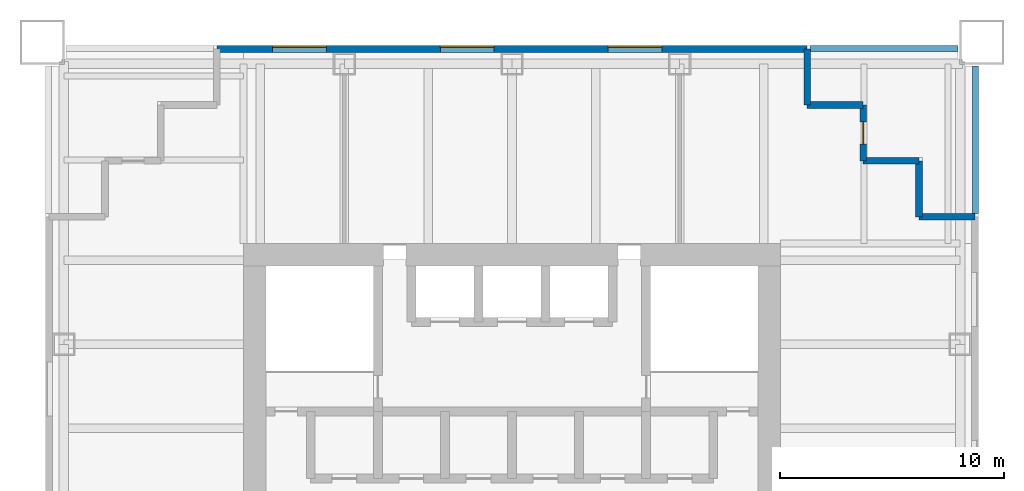
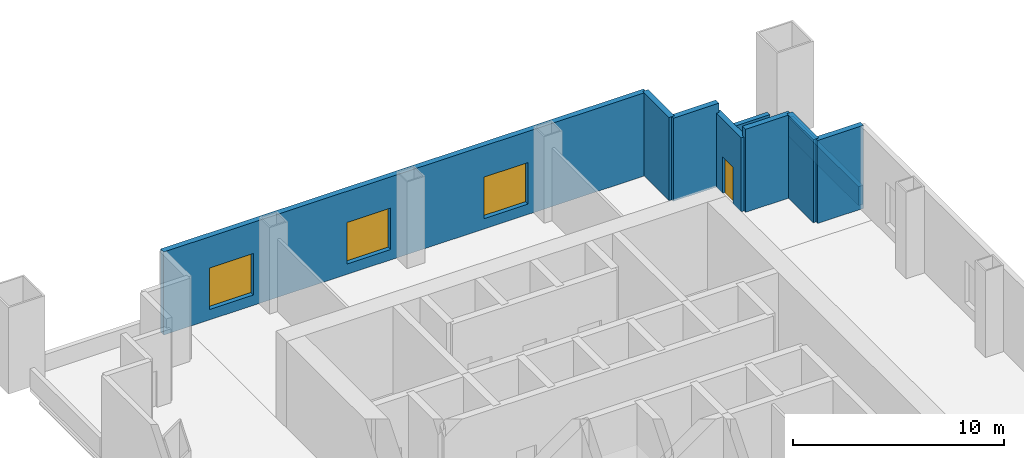
# One storey, part 4 of 5: 9 walls, 3 windows, 1 door, 4 openings.
"""IFC4 building model written with IfcOpenShell, lengths in metres."""

from ifc_helpers import new_model, si_unit, direction, frame, frame_2d, origin, place, context, subcontext, project, spatial, rectangle, extrude, material, layer, layer_set, type_object, element, fill, save


model = new_model("IFC4")

# Units and contexts
model_context = context("Model", 3, precision=1e-05, world=origin(), true_north=direction((0.0, 1.0)))
body_context = subcontext(model_context, "Body", "Model", "MODEL_VIEW")
ifc_project = project(units=[si_unit("LENGTHUNIT", "METRE"), si_unit("AREAUNIT", "SQUARE_METRE"), si_unit("VOLUMEUNIT", "CUBIC_METRE"), si_unit("PLANEANGLEUNIT", "RADIAN"), si_unit("MASSUNIT", "GRAM", prefix="KILO")], contexts=[model_context])

# Site, building, storey
site_placement = place(None, origin())
site = spatial("IfcSite", under=ifc_project, at=site_placement, CompositionType="ELEMENT")
building_placement = place(site_placement, origin())
building = spatial("IfcBuilding", under=site, at=building_placement, Name="Tarangal Relay Tower", CompositionType="ELEMENT")
storey_placement = place(building_placement, frame((0.0, 0.0, 341.89990234375)))
storey = spatial("IfcBuildingStorey", under=building, at=storey_placement, Name="L76", CompositionType="ELEMENT", Elevation=341.89990234375)

# Wall, openings, windows
ifc_material_1 = material(Name="Insulated precast concrete fc' 40 MPa", Category="concrete")
ifc_layer_1 = layer(ifc_material_1, 0.300048828125)
ifc_layer_set_1 = layer_set([ifc_layer_1], Name="Insulated precast concrete fc' 40 MPa")
wall_type_1 = type_object("IfcWallType", Name="Facade wall precast 300", PredefinedType="SOLIDWALL", material=ifc_layer_set_1)
wall_1_placement = place(storey_placement, frame((-13.199951171875, 20.699951171875, 0.0), z_axis=(0.0, 0.0, 1.0), x_axis=(1.0, 0.0, 0.0)))
wall_1 = element("IfcWall", 1, at=wall_1_placement, inside=storey, type_object=wall_type_1, Name="Facade wall N facade L76", PredefinedType="SOLIDWALL", context=body_context, shape_type="SweptSolid", body=[
    extrude(rectangle(XDim=26.39990234375, YDim=0.300048828125, at=frame_2d((13.199951171875, 0.0))), origin(), (0.0, 0.0, 1.0), 4.800048828125),
])
opening_1_placement = place(wall_1_placement, frame((2.5, 0.0, 0.60009765625)))
opening_1 = element("IfcOpeningElement", 2, at=opening_1_placement, cuts=wall_1, Name="Opening LV1", PredefinedType="OPENING", context=body_context, shape_type="SweptSolid", body=[
    extrude(rectangle(XDim=2.39990234375, YDim=2.39990234375, at=frame_2d((1.199951171875, 1.199951171875))), frame((0.0, 0.159912109375, 0.0), z_axis=(0.0, -1.0, 0.0), x_axis=(1.0, 0.0, 0.0)), (0.0, 0.0, 1.0), 0.320068359375),
])
opening_2_placement = place(wall_1_placement, frame((10.0, 0.0, 0.60009765625)))
opening_2 = element("IfcOpeningElement", 3, at=opening_2_placement, cuts=wall_1, Name="Opening LV1", PredefinedType="OPENING", context=body_context, shape_type="SweptSolid", body=[
    extrude(rectangle(XDim=2.39990234375, YDim=2.39990234375, at=frame_2d((1.199951171875, 1.199951171875))), frame((0.0, 0.159912109375, 0.0), z_axis=(0.0, -1.0, 0.0), x_axis=(1.0, 0.0, 0.0)), (0.0, 0.0, 1.0), 0.320068359375),
])
opening_3_placement = place(wall_1_placement, frame((17.5, 0.0, 0.60009765625)))
opening_3 = element("IfcOpeningElement", 4, at=opening_3_placement, cuts=wall_1, Name="Opening LV1", PredefinedType="OPENING", context=body_context, shape_type="SweptSolid", body=[
    extrude(rectangle(XDim=2.39990234375, YDim=2.39990234375, at=frame_2d((1.199951171875, 1.199951171875))), frame((0.0, 0.159912109375, 0.0), z_axis=(0.0, -1.0, 0.0), x_axis=(1.0, 0.0, 0.0)), (0.0, 0.0, 1.0), 0.320068359375),
])
ifc_material_2 = material(Name="Black aluminium weather louvre", Category="aluminium")
window_type = type_object("IfcWindowType", Name="Louvre 2400 x 2400", PartitioningType="SINGLE_PANEL", PredefinedType="WINDOW", material=ifc_material_2)
window_1_placement = place(opening_1_placement, origin())
window_1 = element("IfcWindow", 5, at=window_1_placement, inside=storey, type_object=window_type, Name="Louvre LV1 N facade L76", OverallHeight=2.39990234375, OverallWidth=2.39990234375, PartitioningType="SINGLE_PANEL", PredefinedType="WINDOW", context=body_context, shape_type="SweptSolid", body=[
    extrude(rectangle(XDim=2.39990234375, YDim=2.39990234375, at=frame_2d((1.199951171875, 1.199951171875))), frame((0.0, 0.150146484375, 0.0), z_axis=(0.0, -1.0, 0.0), x_axis=(1.0, 0.0, 0.0)), (0.0, 0.0, 1.0), 0.06005859375),
])
fill(opening_1, window_1)
window_2_placement = place(opening_2_placement, origin())
window_2 = element("IfcWindow", 6, at=window_2_placement, inside=storey, type_object=window_type, Name="Louvre LV1 N facade L76", OverallHeight=2.39990234375, OverallWidth=2.39990234375, PartitioningType="SINGLE_PANEL", PredefinedType="WINDOW", context=body_context, shape_type="SweptSolid", body=[
    extrude(rectangle(XDim=2.39990234375, YDim=2.39990234375, at=frame_2d((1.199951171875, 1.199951171875))), frame((0.0, 0.150146484375, 0.0), z_axis=(0.0, -1.0, 0.0), x_axis=(1.0, 0.0, 0.0)), (0.0, 0.0, 1.0), 0.06005859375),
])
fill(opening_2, window_2)
window_3_placement = place(opening_3_placement, origin())
window_3 = element("IfcWindow", 7, at=window_3_placement, inside=storey, type_object=window_type, Name="Louvre LV1 N facade L76", OverallHeight=2.39990234375, OverallWidth=2.39990234375, PartitioningType="SINGLE_PANEL", PredefinedType="WINDOW", context=body_context, shape_type="SweptSolid", body=[
    extrude(rectangle(XDim=2.39990234375, YDim=2.39990234375, at=frame_2d((1.199951171875, 1.199951171875))), frame((0.0, 0.150146484375, 0.0), z_axis=(0.0, -1.0, 0.0), x_axis=(1.0, 0.0, 0.0)), (0.0, 0.0, 1.0), 0.06005859375),
])
fill(opening_3, window_3)

# Walls
for number, where, z_axis, x_axis, name in (
    (8, (13.199951171875, 20.699951171875, 0.0), (0.0, 0.0, 1.0), (0.0, -1.0, 0.0), "Facade wall N facade L76"),
    (9, (13.199951171875, 18.199951171875, 0.0), (0.0, 0.0, 1.0), (1.0, 0.0, 0.0), "Facade wall N facade L76"),
):
    element("IfcWall", number, at=place(storey_placement, frame(where, z_axis=z_axis, x_axis=x_axis)), inside=storey, type_object=wall_type_1, Name=name, PredefinedType="SOLIDWALL", context=body_context, shape_type="SweptSolid", body=[
        extrude(rectangle(XDim=2.5, YDim=0.300048828125, at=frame_2d((1.25, 0.0))), origin(), (0.0, 0.0, 1.0), 4.800048828125),
    ])

# Wall, opening, door
wall_2_placement = place(storey_placement, frame((15.699951171875, 18.199951171875, 0.0), z_axis=(0.0, 0.0, 1.0), x_axis=(0.0, -1.0, 0.0)))
wall_2 = element("IfcWall", 10, at=wall_2_placement, inside=storey, type_object=wall_type_1, Name="Facade wall N facade L76", PredefinedType="SOLIDWALL", context=body_context, shape_type="SweptSolid", body=[
    extrude(rectangle(XDim=2.5, YDim=0.300048828125, at=frame_2d((1.25, 0.0))), origin(), (0.0, 0.0, 1.0), 4.2666015625),
])
opening_4_placement = place(wall_2_placement, frame((0.75, 0.0, 0.0)))
opening_4 = element("IfcOpeningElement", 11, at=opening_4_placement, cuts=wall_2, Name="Opening MD1", PredefinedType="OPENING", context=body_context, shape_type="SweptSolid", body=[
    extrude(rectangle(XDim=1.0, YDim=2.10009765625, at=frame_2d((0.5, 1.050048828125))), frame((0.0, 0.159912109375, 0.0), z_axis=(0.0, -1.0, 0.0), x_axis=(1.0, 0.0, 0.0)), (0.0, 0.0, 1.0), 0.320068359375),
])
ifc_material_3 = material(Name="Steel door with hardwood frame", Category="steel")
door_type = type_object("IfcDoorType", Name="Maintenance access door 1000 x 2100", OperationType="SINGLE_SWING_RIGHT", PredefinedType="DOOR", material=ifc_material_3)
door_placement = place(opening_4_placement, origin())
door = element("IfcDoor", 12, at=door_placement, inside=storey, type_object=door_type, Name="Maintenance access door MD1 NE L76", OperationType="SINGLE_SWING_RIGHT", OverallHeight=2.10009765625, OverallWidth=1.0, PredefinedType="DOOR", context=body_context, shape_type="SweptSolid", body=[
    extrude(rectangle(XDim=1.0, YDim=2.10009765625, at=frame_2d((0.5, 1.050048828125))), frame((0.0, 0.02490234375, 0.0), z_axis=(0.0, -1.0, 0.0), x_axis=(1.0, 0.0, 0.0)), (0.0, 0.0, 1.0), 0.050048828125),
])
fill(opening_4, door)

# Walls
for number, where, z_axis, x_axis, name in (
    (13, (15.699951171875, 15.699951171875, 0.0), (0.0, 0.0, 1.0), (1.0, 0.0, 0.0), "Facade wall N facade L76"),
    (14, (18.199951171875, 15.699951171875, 0.0), (0.0, 0.0, 1.0), (0.0, -1.0, 0.0), "Facade wall N facade L76"),
    (15, (18.199951171875, 13.199951171875, 0.0), (0.0, 0.0, 1.0), (1.0, 0.0, 0.0), "Facade wall N facade L76"),
):
    element("IfcWall", number, at=place(storey_placement, frame(where, z_axis=z_axis, x_axis=x_axis)), inside=storey, type_object=wall_type_1, Name=name, PredefinedType="SOLIDWALL", context=body_context, shape_type="SweptSolid", body=[
        extrude(rectangle(XDim=2.5, YDim=0.300048828125, at=frame_2d((1.25, 0.0))), origin(), (0.0, 0.0, 1.0), 4.800048828125),
    ])
ifc_material_4 = material(Name="Concrete parapet with metal coping", Category="concrete")
ifc_layer_2 = layer(ifc_material_4, 0.25)
ifc_layer_set_2 = layer_set([ifc_layer_2], Name="Parapet 250")
wall_type_2 = type_object("IfcWallType", Name="Parapet 250", PredefinedType="PARAPET", material=ifc_layer_set_2)
for number, where, z_axis, x_axis, name in (
    (16, (13.35009765625, 20.72509765625, 0.0), (0.0, 0.0, 1.0), (1.0, 0.0, 0.0), "Ledge parapet PP1 NE L76"),
    (17, (20.72509765625, 19.949951171875, 0.0), (0.0, 0.0, 1.0), (0.0, -1.0, 0.0), "Ledge parapet PP1 NE L76"),
):
    element("IfcWall", number, at=place(storey_placement, frame(where, z_axis=z_axis, x_axis=x_axis)), inside=storey, type_object=wall_type_2, Name=name, PredefinedType="PARAPET", context=body_context, shape_type="SweptSolid", body=[
        extrude(rectangle(XDim=6.599853515625, YDim=0.25, at=frame_2d((3.2998046875, 0.0))), origin(), (0.0, 0.0, 1.0), 1.10009765625),
    ])

save(model, "model.ifc")
